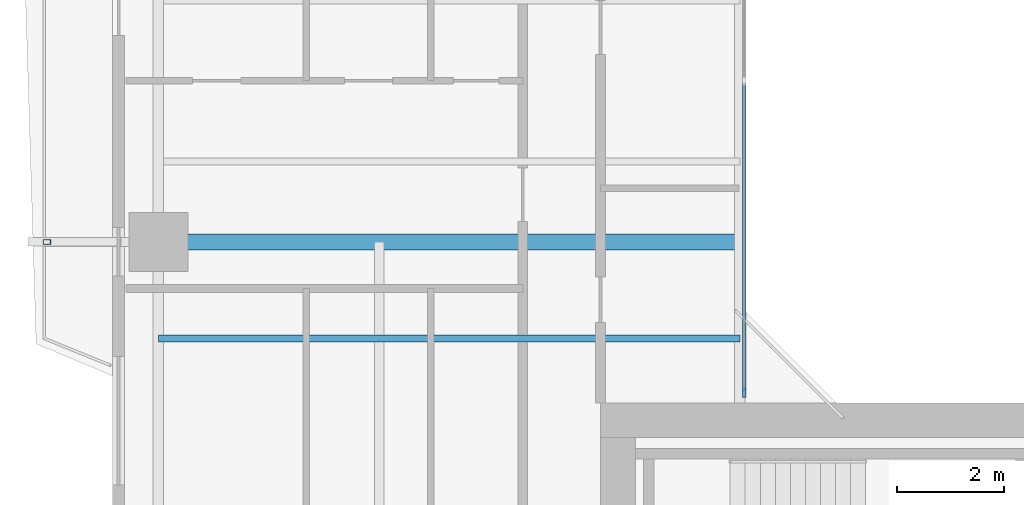
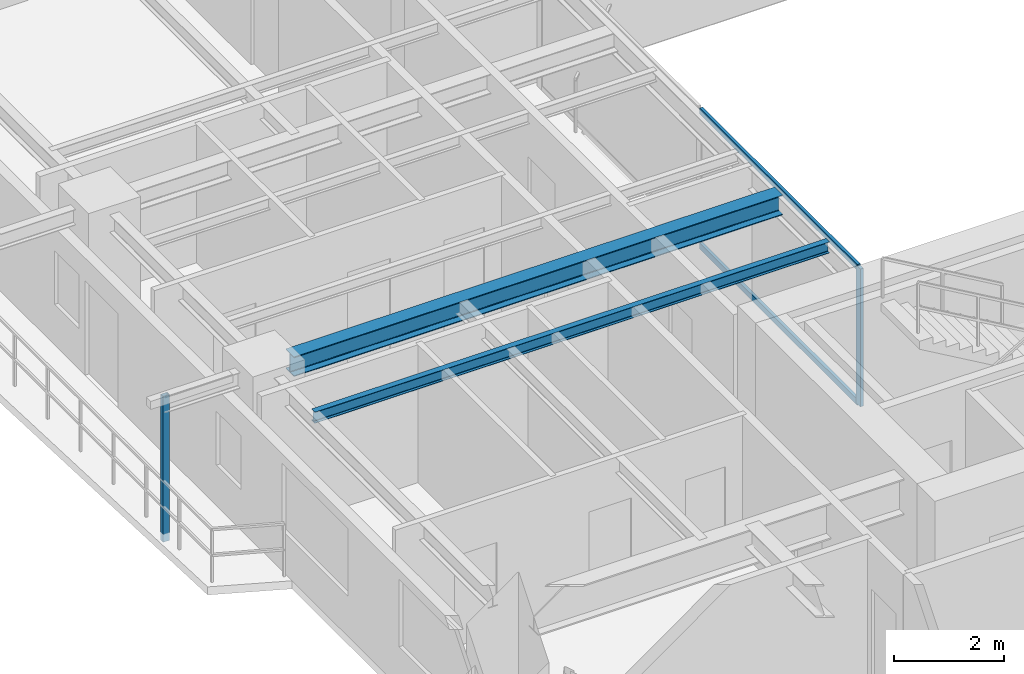
# One storey, part 3 of 24: 4 members, 2 beams, 1 element without a shape of its own.
"""IFC4 building model written with IfcOpenShell, lengths in metres."""

from ifc_helpers import new_model, si_unit, direction, frame, origin, origin_2d, place, context, subcontext, project, spatial, rectangle, hollow_rectangle, i_section, extrude, source, transform, mapped, material, layer, layer_set, material_profile, profile_set, type_object, element, aggregate, save


model = new_model("IFC4")

# Units and contexts
model_context = context("Model", 3, precision=1e-05, world=origin(), true_north=direction((0.0, 1.0)))
body_context = subcontext(model_context, "Body", "Model", "MODEL_VIEW")
ifc_project = project(units=[si_unit("LENGTHUNIT", "METRE"), si_unit("AREAUNIT", "SQUARE_METRE"), si_unit("VOLUMEUNIT", "CUBIC_METRE"), si_unit("PLANEANGLEUNIT", "RADIAN"), si_unit("MASSUNIT", "GRAM", prefix="KILO"), si_unit("THERMODYNAMICTEMPERATUREUNIT", "KELVIN"), si_unit("POWERUNIT", "WATT")], contexts=[model_context])

# Site, building, storey
site_placement = place(None, origin())
site = spatial("IfcSite", under=ifc_project, at=site_placement, CompositionType="ELEMENT")
building_placement = place(site_placement, origin())
building = spatial("IfcBuilding", under=site, at=building_placement, Name="Qiaomeng Ring Towers", CompositionType="ELEMENT")
storey_placement = place(building_placement, frame((0.0, 0.0, 106.75)))
storey = spatial("IfcBuildingStorey", under=building, at=storey_placement, Name="L30", CompositionType="ELEMENT", Elevation=106.75)

# Beams
ifc_material_1 = material(Name="Steel Q355B", Category="steel")
ifc_material_profile_1 = material_profile(ifc_material_1, i_section(OverallWidth=0.300048828125, OverallDepth=0.43994140625, WebThickness=0.010986328125, FlangeThickness=0.01806640625, FilletRadius=0.02392578125, at=origin_2d()), Name="HM 440x300x11x18")
ifc_profile_set_1 = profile_set([ifc_material_profile_1], Name="Steel Q355B")
beam_type_1 = type_object("IfcBeamType", Name="STR-BM-HM440", PredefinedType="BEAM", material=ifc_profile_set_1)
shared_shape_1 = source(origin(), body_context, "Body", "SweptSolid", [
    extrude(i_section(OverallWidth=0.300048828125, OverallDepth=0.43994140625, WebThickness=0.010986328125, FlangeThickness=0.01806640625, FilletRadius=0.02392578125, at=origin_2d()), origin(), (0.0, 0.0, 1.0), 10.301025390625),
])
beam_1_placement = place(storey_placement, frame((2.4990234375, 20.0, 2.85009765625), z_axis=(1.0, 0.0, 0.0), x_axis=(0.0, 1.0, 0.0)))
element("IfcBeam", 1, at=beam_1_placement, inside=storey, type_object=beam_type_1, Name="L30 beam STR-BM-L30-T1-RAD-W2", PredefinedType="BEAM", context=body_context, shape_type="MappedRepresentation", body=[
    mapped(shared_shape_1, transform((0.0, 0.0, 0.0), x_axis=(1.0, 0.0, 0.0), y_axis=(0.0, 1.0, 0.0), z_axis=(0.0, 0.0, 1.0), scale=1.0)),
])
ifc_material_profile_2 = material_profile(ifc_material_1, i_section(OverallWidth=0.125, OverallDepth=0.25, WebThickness=0.006103515625, FlangeThickness=0.009033203125, FilletRadius=0.011962890625, at=origin_2d()), Name="HN 250x125x6x9")
ifc_profile_set_2 = profile_set([ifc_material_profile_2], Name="Steel Q355B")
beam_type_2 = type_object("IfcBeamType", Name="STR-BM-HN250", PredefinedType="JOIST", material=ifc_profile_set_2)
shared_shape_2 = source(origin(), body_context, "Body", "SweptSolid", [
    extrude(i_section(OverallWidth=0.125, OverallDepth=0.25, WebThickness=0.006103515625, FlangeThickness=0.009033203125, FilletRadius=0.011962890625, at=origin_2d()), origin(), (0.0, 0.0, 1.0), 10.85009765625),
])
beam_2_placement = place(storey_placement, frame((1.949951171875, 18.199951171875, 2.945068359375), z_axis=(1.0, 0.0, 0.0), x_axis=(0.0, 1.0, 0.0)))
element("IfcBeam", 2, at=beam_2_placement, inside=storey, type_object=beam_type_2, Name="L30 beam STR-JST-L30-T1W-1", PredefinedType="JOIST", context=body_context, shape_type="MappedRepresentation", body=[
    mapped(shared_shape_2, transform((0.0, 0.0, 0.0), x_axis=(1.0, 0.0, 0.0), y_axis=(0.0, 1.0, 0.0), z_axis=(0.0, 0.0, 1.0), scale=1.0)),
])

# Curtain wall, members
ifc_material_2 = material(Name="Fluorocarbon dark-grey aluminium", Category="aluminium")
ifc_layer = layer(ifc_material_2, 0.139892578125, Name="Fluorocarbon dark-grey aluminium")
ifc_layer_set = layer_set([ifc_layer], Name="Fluorocarbon dark-grey aluminium")
curtain_wall_type = type_object("IfcCurtainWallType", Name="ARC-CW-4", PredefinedType="NOTDEFINED", material=ifc_layer_set)
curtain_wall_placement = place(storey_placement, origin())
curtain_wall = element("IfcCurtainWall", 3, at=curtain_wall_placement, inside=storey, type_object=curtain_wall_type, Name="L30 Curtain Wall CW4", PredefinedType="NOTDEFINED")
ifc_material_profile_3 = material_profile(ifc_material_2, rectangle(XDim=0.06494140625, YDim=0.159912109375, at=origin_2d()), Name="ALU MULL 65x160")
ifc_profile_set_3 = profile_set([ifc_material_profile_3], Name="Fluorocarbon dark-grey aluminium")
member_type_1 = type_object("IfcMemberType", Name="ARC-CWM-140", PredefinedType="MULLION", material=ifc_profile_set_3)
shared_shape_3 = source(origin(), body_context, "Body", "SweptSolid", [
    extrude(rectangle(XDim=0.06494140625, YDim=0.159912109375, at=origin_2d()), origin(), (0.0, 0.0, 1.0), 3.070068359375),
])
member_1_placement = place(storey_placement, frame((12.8798828125, 17.1826171875, 0.0), z_axis=(0.0, 0.0, 1.0), x_axis=(-1.0, 0.0, 0.0)))
member_1 = element("IfcMember", 4, at=member_1_placement, type_object=member_type_1, Name="CW4 mullion 1", PredefinedType="MULLION", context=body_context, shape_type="MappedRepresentation", body=[
    mapped(shared_shape_3, transform((0.0, 0.0, 0.0), x_axis=(1.0, 0.0, 0.0), y_axis=(0.0, 1.0, 0.0), z_axis=(0.0, 0.0, 1.0), scale=1.0)),
])
ifc_material_profile_4 = material_profile(ifc_material_2, rectangle(XDim=0.06494140625, YDim=0.1298828125, at=origin_2d()), Name="ALU TRAN 65x130")
ifc_profile_set_4 = profile_set([ifc_material_profile_4], Name="Fluorocarbon dark-grey aluminium")
member_type_2 = type_object("IfcMemberType", Name="ARC-CWT-120", PredefinedType="USERDEFINED", material=ifc_profile_set_4)
shared_shape_4 = source(origin(), body_context, "Body", "SweptSolid", [
    extrude(rectangle(XDim=0.06494140625, YDim=0.1298828125, at=origin_2d()), origin(), (0.0, 0.0, 1.0), 5.75244140625),
])
member_2_placement = place(storey_placement, frame((12.8798828125, 17.215087890625, 0.032470703125), z_axis=(0.0, 1.0, 0.0), x_axis=(-1.0, 0.0, 0.0)))
member_2 = element("IfcMember", 5, at=member_2_placement, type_object=member_type_2, Name="CW4 transom 1.1", ObjectType="TRANSOM", PredefinedType="USERDEFINED", context=body_context, shape_type="MappedRepresentation", body=[
    mapped(shared_shape_4, transform((0.0, 0.0, 0.0), x_axis=(1.0, 0.0, 0.0), y_axis=(0.0, 1.0, 0.0), z_axis=(0.0, 0.0, 1.0), scale=1.0)),
])
member_3_placement = place(storey_placement, frame((12.8798828125, 17.215087890625, 3.03759765625), z_axis=(0.0, 1.0, 0.0), x_axis=(-1.0, 0.0, 0.0)))
member_3 = element("IfcMember", 6, at=member_3_placement, type_object=member_type_2, Name="CW4 transom 1.2", ObjectType="TRANSOM", PredefinedType="USERDEFINED", context=body_context, shape_type="MappedRepresentation", body=[
    mapped(shared_shape_4, transform((0.0, 0.0, 0.0), x_axis=(1.0, 0.0, 0.0), y_axis=(0.0, 1.0, 0.0), z_axis=(0.0, 0.0, 1.0), scale=1.0)),
])
aggregate(curtain_wall, [member_1, member_2, member_3])

# Member
ifc_material_3 = material(Name="Stainless steel 316", Category="steel")
ifc_material_profile_5 = material_profile(ifc_material_3, hollow_rectangle(XDim=0.090087890625, YDim=0.139892578125, WallThickness=0.0048828125, at=origin_2d()), Name="SS TRELLIS 90x140")
ifc_profile_set_5 = profile_set([ifc_material_profile_5], Name="Stainless steel 316")
member_type_3 = type_object("IfcMemberType", Name="ARC-TR-POST1", PredefinedType="STUD", material=ifc_profile_set_5)
shared_shape_5 = source(origin(), body_context, "Body", "SweptSolid", [
    extrude(hollow_rectangle(XDim=0.090087890625, YDim=0.139892578125, WallThickness=0.0048828125, at=origin_2d()), origin(), (0.0, 0.0, 1.0), 3.25),
])
member_4_placement = place(storey_placement, frame((-0.1298828125, 20.0, -0.179931640625), z_axis=(0.0, 0.0, 1.0), x_axis=(0.0, 1.0, 0.0)))
element("IfcMember", 7, at=member_4_placement, inside=storey, type_object=member_type_3, Name="L30 Outer Ventilated Trellis Post W", PredefinedType="STUD", context=body_context, shape_type="MappedRepresentation", body=[
    mapped(shared_shape_5, transform((0.0, 0.0, 0.0), x_axis=(1.0, 0.0, 0.0), y_axis=(0.0, 1.0, 0.0), z_axis=(0.0, 0.0, 1.0), scale=1.0)),
])

save(model, "model.ifc")
